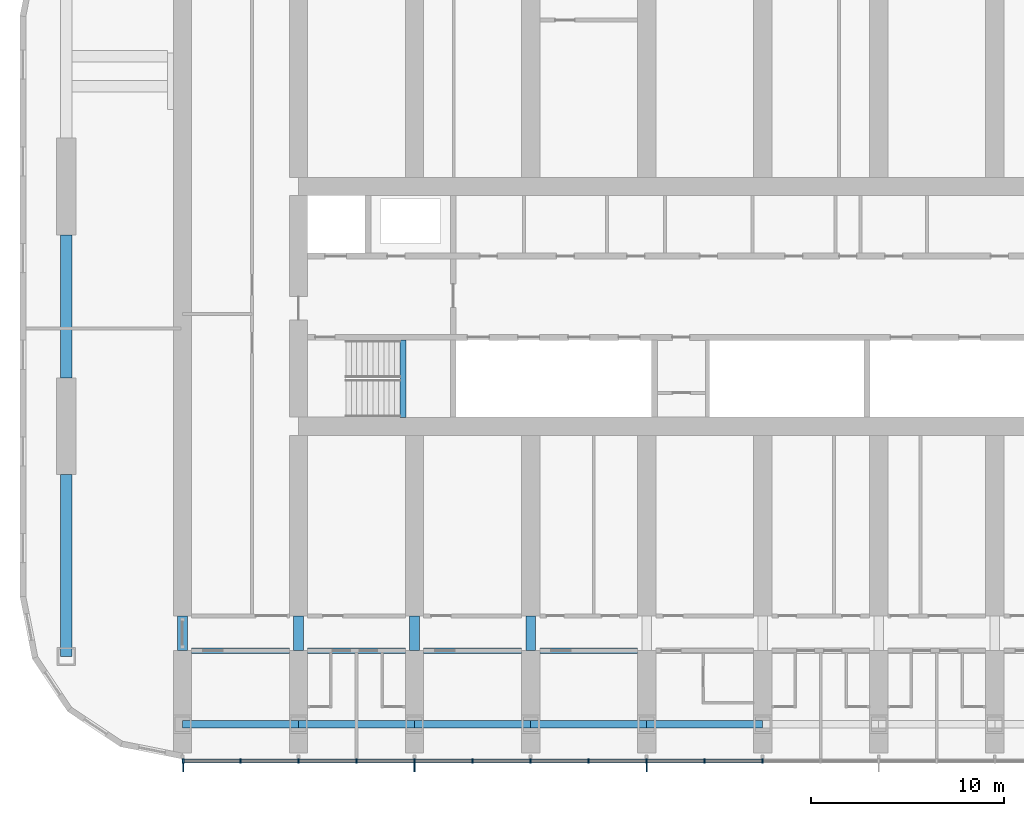
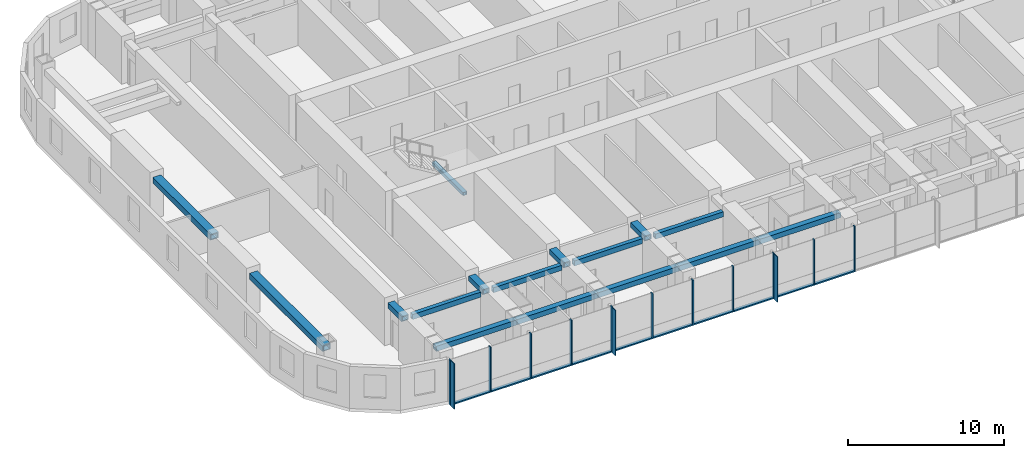
# One storey, part 2 of 21: 24 members, 16 beams, 1 element without a shape of its own.
"""IFC4 building model written with IfcOpenShell, lengths in metres."""

from ifc_helpers import new_model, si_unit, direction, frame, origin, origin_2d, place, context, subcontext, project, spatial, rectangle, hollow_rectangle, extrude, material, material_profile, profile_set, type_object, element, aggregate, save


model = new_model("IFC4")

# Units and contexts
model_context = context("Model", 3, precision=1e-05, world=origin(), true_north=direction((0.0, 1.0)))
body_context = subcontext(model_context, "Body", "Model", "MODEL_VIEW")
ifc_project = project(units=[si_unit("LENGTHUNIT", "METRE"), si_unit("AREAUNIT", "SQUARE_METRE"), si_unit("VOLUMEUNIT", "CUBIC_METRE"), si_unit("PLANEANGLEUNIT", "RADIAN"), si_unit("MASSUNIT", "GRAM", prefix="KILO")], contexts=[model_context])

# Site, building, storey
site_placement = place(None, origin())
site = spatial("IfcSite", under=ifc_project, at=site_placement, CompositionType="ELEMENT")
building_placement = place(site_placement, origin())
building = spatial("IfcBuilding", under=site, at=building_placement, Name="Orbita Commons", CompositionType="ELEMENT")
storey_placement = place(building_placement, frame((0.0, 0.0, 110.64990234375)))
storey = spatial("IfcBuildingStorey", under=building, at=storey_placement, Name="L27", CompositionType="ELEMENT", Elevation=110.64990234375)

# Curtain wall, members
ifc_material_1 = material(Name="Anodised aluminium frame, pale silver", Category="aluminium")
curtain_wall_type = type_object("IfcCurtainWallType", Name="Unitised curtain wall CW-T, vision and spandrel", PredefinedType="NOTDEFINED", material=ifc_material_1)
curtain_wall_placement = place(storey_placement, origin())
curtain_wall = element("IfcCurtainWall", 1, at=curtain_wall_placement, inside=storey, type_object=curtain_wall_type, Name="Curtain wall south L27", PredefinedType="NOTDEFINED")
ifc_material_2 = material(Name="Anodised aluminium, pale silver", Category="aluminium")
ifc_material_profile_1 = material_profile(ifc_material_2, rectangle(XDim=0.080078125, YDim=0.219970703125, at=origin_2d()), Name="AL 80x220")
ifc_profile_set_1 = profile_set([ifc_material_profile_1], Name="Anodised aluminium, pale silver")
member_type_1 = type_object("IfcMemberType", Name="Curtain wall mullion 80x220", PredefinedType="MULLION", material=ifc_profile_set_1)
member_1_placement = place(storey_placement, frame((12.0400390625, 8.489990234375, -0.25), z_axis=(0.0, 0.0, 1.0), x_axis=(1.0, 0.0, 0.0)))
member_1 = element("IfcMember", 2, at=member_1_placement, type_object=member_type_1, Name="Mullion 1 CW-L27-S", PredefinedType="MULLION", context=body_context, shape_type="SweptSolid", body=[
    extrude(rectangle(XDim=0.080078125, YDim=0.219970703125, at=origin_2d()), origin(), (0.0, 0.0, 1.0), 3.550048828125),
])
member_2_placement = place(storey_placement, frame((15.0, 8.489990234375, -0.25), z_axis=(0.0, 0.0, 1.0), x_axis=(1.0, 0.0, 0.0)))
member_2 = element("IfcMember", 3, at=member_2_placement, type_object=member_type_1, Name="Mullion 2 CW-L27-S", PredefinedType="MULLION", context=body_context, shape_type="SweptSolid", body=[
    extrude(rectangle(XDim=0.080078125, YDim=0.219970703125, at=origin_2d()), origin(), (0.0, 0.0, 1.0), 3.550048828125),
])
member_3_placement = place(storey_placement, frame((18.0, 8.489990234375, -0.25), z_axis=(0.0, 0.0, 1.0), x_axis=(1.0, 0.0, 0.0)))
member_3 = element("IfcMember", 4, at=member_3_placement, type_object=member_type_1, Name="Mullion 3 CW-L27-S", PredefinedType="MULLION", context=body_context, shape_type="SweptSolid", body=[
    extrude(rectangle(XDim=0.080078125, YDim=0.219970703125, at=origin_2d()), origin(), (0.0, 0.0, 1.0), 3.550048828125),
])
member_4_placement = place(storey_placement, frame((21.0, 8.489990234375, -0.25), z_axis=(0.0, 0.0, 1.0), x_axis=(1.0, 0.0, 0.0)))
member_4 = element("IfcMember", 5, at=member_4_placement, type_object=member_type_1, Name="Mullion 4 CW-L27-S", PredefinedType="MULLION", context=body_context, shape_type="SweptSolid", body=[
    extrude(rectangle(XDim=0.080078125, YDim=0.219970703125, at=origin_2d()), origin(), (0.0, 0.0, 1.0), 3.550048828125),
])
member_5_placement = place(storey_placement, frame((24.0, 8.489990234375, -0.25), z_axis=(0.0, 0.0, 1.0), x_axis=(1.0, 0.0, 0.0)))
member_5 = element("IfcMember", 6, at=member_5_placement, type_object=member_type_1, Name="Mullion 5 CW-L27-S", PredefinedType="MULLION", context=body_context, shape_type="SweptSolid", body=[
    extrude(rectangle(XDim=0.080078125, YDim=0.219970703125, at=origin_2d()), origin(), (0.0, 0.0, 1.0), 3.550048828125),
])
member_6_placement = place(storey_placement, frame((27.0, 8.489990234375, -0.25), z_axis=(0.0, 0.0, 1.0), x_axis=(1.0, 0.0, 0.0)))
member_6 = element("IfcMember", 7, at=member_6_placement, type_object=member_type_1, Name="Mullion 6 CW-L27-S", PredefinedType="MULLION", context=body_context, shape_type="SweptSolid", body=[
    extrude(rectangle(XDim=0.080078125, YDim=0.219970703125, at=origin_2d()), origin(), (0.0, 0.0, 1.0), 3.550048828125),
])
member_7_placement = place(storey_placement, frame((30.0, 8.489990234375, -0.25), z_axis=(0.0, 0.0, 1.0), x_axis=(1.0, 0.0, 0.0)))
member_7 = element("IfcMember", 8, at=member_7_placement, type_object=member_type_1, Name="Mullion 7 CW-L27-S", PredefinedType="MULLION", context=body_context, shape_type="SweptSolid", body=[
    extrude(rectangle(XDim=0.080078125, YDim=0.219970703125, at=origin_2d()), origin(), (0.0, 0.0, 1.0), 3.550048828125),
])
member_8_placement = place(storey_placement, frame((33.0, 8.489990234375, -0.25), z_axis=(0.0, 0.0, 1.0), x_axis=(1.0, 0.0, 0.0)))
member_8 = element("IfcMember", 9, at=member_8_placement, type_object=member_type_1, Name="Mullion 8 CW-L27-S", PredefinedType="MULLION", context=body_context, shape_type="SweptSolid", body=[
    extrude(rectangle(XDim=0.080078125, YDim=0.219970703125, at=origin_2d()), origin(), (0.0, 0.0, 1.0), 3.550048828125),
])
member_9_placement = place(storey_placement, frame((36.0, 8.489990234375, -0.25), z_axis=(0.0, 0.0, 1.0), x_axis=(1.0, 0.0, 0.0)))
member_9 = element("IfcMember", 10, at=member_9_placement, type_object=member_type_1, Name="Mullion 9 CW-L27-S", PredefinedType="MULLION", context=body_context, shape_type="SweptSolid", body=[
    extrude(rectangle(XDim=0.080078125, YDim=0.219970703125, at=origin_2d()), origin(), (0.0, 0.0, 1.0), 3.550048828125),
])
member_10_placement = place(storey_placement, frame((39.0, 8.489990234375, -0.25), z_axis=(0.0, 0.0, 1.0), x_axis=(1.0, 0.0, 0.0)))
member_10 = element("IfcMember", 11, at=member_10_placement, type_object=member_type_1, Name="Mullion 10 CW-L27-S", PredefinedType="MULLION", context=body_context, shape_type="SweptSolid", body=[
    extrude(rectangle(XDim=0.080078125, YDim=0.219970703125, at=origin_2d()), origin(), (0.0, 0.0, 1.0), 3.550048828125),
])
member_11_placement = place(storey_placement, frame((42.0, 8.489990234375, -0.25), z_axis=(0.0, 0.0, 1.0), x_axis=(1.0, 0.0, 0.0)))
member_11 = element("IfcMember", 12, at=member_11_placement, type_object=member_type_1, Name="Mullion 11 CW-L27-S", PredefinedType="MULLION", context=body_context, shape_type="SweptSolid", body=[
    extrude(rectangle(XDim=0.080078125, YDim=0.219970703125, at=origin_2d()), origin(), (0.0, 0.0, 1.0), 3.550048828125),
])
ifc_material_3 = material(Name="Anodised aluminium, pale silver", Category="aluminium")
ifc_material_profile_2 = material_profile(ifc_material_3, rectangle(XDim=0.219970703125, YDim=0.10009765625, at=origin_2d()), Name="AL 220x100")
ifc_profile_set_2 = profile_set([ifc_material_profile_2], Name="Anodised aluminium, pale silver")
member_type_2 = type_object("IfcMemberType", Name="Curtain wall stack transom 220x100", PredefinedType="USERDEFINED", material=ifc_profile_set_2)
member_12_placement = place(storey_placement, frame((12.080078125, 8.489990234375, -0.199951171875), z_axis=(1.0, 0.0, 0.0), x_axis=(0.0, 1.0, 0.0)))
member_12 = element("IfcMember", 13, at=member_12_placement, type_object=member_type_2, Name="Transom 1.1 CW-L27-S", ObjectType="TRANSOM", PredefinedType="USERDEFINED", context=body_context, shape_type="SweptSolid", body=[
    extrude(rectangle(XDim=0.219970703125, YDim=0.10009765625, at=origin_2d()), origin(), (0.0, 0.0, 1.0), 2.8798828125),
])
member_13_placement = place(storey_placement, frame((15.0400390625, 8.489990234375, -0.199951171875), z_axis=(1.0, 0.0, 0.0), x_axis=(0.0, 1.0, 0.0)))
member_13 = element("IfcMember", 14, at=member_13_placement, type_object=member_type_2, Name="Transom 2.1 CW-L27-S", ObjectType="TRANSOM", PredefinedType="USERDEFINED", context=body_context, shape_type="SweptSolid", body=[
    extrude(rectangle(XDim=0.219970703125, YDim=0.10009765625, at=origin_2d()), origin(), (0.0, 0.0, 1.0), 2.919921875),
])
member_14_placement = place(storey_placement, frame((18.0400390625, 8.489990234375, -0.199951171875), z_axis=(1.0, 0.0, 0.0), x_axis=(0.0, 1.0, 0.0)))
member_14 = element("IfcMember", 15, at=member_14_placement, type_object=member_type_2, Name="Transom 3.1 CW-L27-S", ObjectType="TRANSOM", PredefinedType="USERDEFINED", context=body_context, shape_type="SweptSolid", body=[
    extrude(rectangle(XDim=0.219970703125, YDim=0.10009765625, at=origin_2d()), origin(), (0.0, 0.0, 1.0), 2.919921875),
])
member_15_placement = place(storey_placement, frame((21.0400390625, 8.489990234375, -0.199951171875), z_axis=(1.0, 0.0, 0.0), x_axis=(0.0, 1.0, 0.0)))
member_15 = element("IfcMember", 16, at=member_15_placement, type_object=member_type_2, Name="Transom 4.1 CW-L27-S", ObjectType="TRANSOM", PredefinedType="USERDEFINED", context=body_context, shape_type="SweptSolid", body=[
    extrude(rectangle(XDim=0.219970703125, YDim=0.10009765625, at=origin_2d()), origin(), (0.0, 0.0, 1.0), 2.919921875),
])
member_16_placement = place(storey_placement, frame((24.0400390625, 8.489990234375, -0.199951171875), z_axis=(1.0, 0.0, 0.0), x_axis=(0.0, 1.0, 0.0)))
member_16 = element("IfcMember", 17, at=member_16_placement, type_object=member_type_2, Name="Transom 5.1 CW-L27-S", ObjectType="TRANSOM", PredefinedType="USERDEFINED", context=body_context, shape_type="SweptSolid", body=[
    extrude(rectangle(XDim=0.219970703125, YDim=0.10009765625, at=origin_2d()), origin(), (0.0, 0.0, 1.0), 2.919921875),
])
member_17_placement = place(storey_placement, frame((27.0400390625, 8.489990234375, -0.199951171875), z_axis=(1.0, 0.0, 0.0), x_axis=(0.0, 1.0, 0.0)))
member_17 = element("IfcMember", 18, at=member_17_placement, type_object=member_type_2, Name="Transom 6.1 CW-L27-S", ObjectType="TRANSOM", PredefinedType="USERDEFINED", context=body_context, shape_type="SweptSolid", body=[
    extrude(rectangle(XDim=0.219970703125, YDim=0.10009765625, at=origin_2d()), origin(), (0.0, 0.0, 1.0), 2.919921875),
])
member_18_placement = place(storey_placement, frame((30.0400390625, 8.489990234375, -0.199951171875), z_axis=(1.0, 0.0, 0.0), x_axis=(0.0, 1.0, 0.0)))
member_18 = element("IfcMember", 19, at=member_18_placement, type_object=member_type_2, Name="Transom 7.1 CW-L27-S", ObjectType="TRANSOM", PredefinedType="USERDEFINED", context=body_context, shape_type="SweptSolid", body=[
    extrude(rectangle(XDim=0.219970703125, YDim=0.10009765625, at=origin_2d()), origin(), (0.0, 0.0, 1.0), 2.919921875),
])
member_19_placement = place(storey_placement, frame((33.0400390625, 8.489990234375, -0.199951171875), z_axis=(1.0, 0.0, 0.0), x_axis=(0.0, 1.0, 0.0)))
member_19 = element("IfcMember", 20, at=member_19_placement, type_object=member_type_2, Name="Transom 8.1 CW-L27-S", ObjectType="TRANSOM", PredefinedType="USERDEFINED", context=body_context, shape_type="SweptSolid", body=[
    extrude(rectangle(XDim=0.219970703125, YDim=0.10009765625, at=origin_2d()), origin(), (0.0, 0.0, 1.0), 2.919921875),
])
member_20_placement = place(storey_placement, frame((36.0400390625, 8.489990234375, -0.199951171875), z_axis=(1.0, 0.0, 0.0), x_axis=(0.0, 1.0, 0.0)))
member_20 = element("IfcMember", 21, at=member_20_placement, type_object=member_type_2, Name="Transom 9.1 CW-L27-S", ObjectType="TRANSOM", PredefinedType="USERDEFINED", context=body_context, shape_type="SweptSolid", body=[
    extrude(rectangle(XDim=0.219970703125, YDim=0.10009765625, at=origin_2d()), origin(), (0.0, 0.0, 1.0), 2.919921875),
])
member_21_placement = place(storey_placement, frame((39.0400390625, 8.489990234375, -0.199951171875), z_axis=(1.0, 0.0, 0.0), x_axis=(0.0, 1.0, 0.0)))
member_21 = element("IfcMember", 22, at=member_21_placement, type_object=member_type_2, Name="Transom 10.1 CW-L27-S", ObjectType="TRANSOM", PredefinedType="USERDEFINED", context=body_context, shape_type="SweptSolid", body=[
    extrude(rectangle(XDim=0.219970703125, YDim=0.10009765625, at=origin_2d()), origin(), (0.0, 0.0, 1.0), 2.919921875),
])

# Beams
ifc_material_4 = material(Name="Steel ASTM A572 Gr 50 welded plate", Category="steel")
ifc_material_profile_3 = material_profile(ifc_material_4, hollow_rectangle(XDim=0.300048828125, YDim=0.25, WallThickness=0.02490234375, at=origin_2d()), Name="BOX 250x300x25")
ifc_profile_set_3 = profile_set([ifc_material_profile_3], Name="Steel ASTM A572 Gr 50 welded plate")
beam_type_1 = type_object("IfcBeamType", Name="Stair landing beam steel BOX 250x300x25", PredefinedType="BEAM", material=ifc_profile_set_3)
beam_1_placement = place(storey_placement, frame((23.39990234375, 26.260009765625, 1.550048828125), z_axis=(0.0, 1.0, 0.0), x_axis=(-1.0, 0.0, 0.0)))
element("IfcBeam", 23, at=beam_1_placement, inside=storey, type_object=beam_type_1, Name="Stair S1 landing beam L27 1", PredefinedType="BEAM", context=body_context, shape_type="SweptSolid", body=[
    extrude(hollow_rectangle(XDim=0.300048828125, YDim=0.25, WallThickness=0.02490234375, at=origin_2d()), origin(), (0.0, 0.0, 1.0), 4.0048828125),
])
ifc_material_5 = material(Name="Steel ASTM A572 Gr 50 welded plate", Category="steel")
ifc_material_profile_4 = material_profile(ifc_material_5, hollow_rectangle(XDim=0.300048828125, YDim=0.39990234375, WallThickness=0.0400390625, at=origin_2d()), Name="BOX 400x300x40")
ifc_profile_set_4 = profile_set([ifc_material_profile_4], Name="Steel ASTM A572 Gr 50 welded plate")
beam_type_2 = type_object("IfcBeamType", Name="Steel corridor link BOX 400x300x40", PredefinedType="BEAM", material=ifc_profile_set_4)
for number, where, z_axis, x_axis, name in (
    (24, (12.47509765625, 14.199951171875, 3.10009765625), (1.0, 0.0, 0.0), (0.0, 1.0, 0.0), "Corridor beam SA 3-4 L27"),
    (25, (18.47509765625, 14.199951171875, 3.10009765625), (1.0, 0.0, 0.0), (0.0, 1.0, 0.0), "Corridor beam SA 4-5 L27"),
    (26, (24.47509765625, 14.199951171875, 3.10009765625), (1.0, 0.0, 0.0), (0.0, 1.0, 0.0), "Corridor beam SA 5-6 L27"),
    (27, (30.47509765625, 14.199951171875, 3.10009765625), (1.0, 0.0, 0.0), (0.0, 1.0, 0.0), "Corridor beam SA 6-7 L27"),
):
    element("IfcBeam", number, at=place(storey_placement, frame(where, z_axis=z_axis, x_axis=x_axis)), inside=storey, type_object=beam_type_2, Name=name, PredefinedType="BEAM", context=body_context, shape_type="SweptSolid", body=[
        extrude(hollow_rectangle(XDim=0.300048828125, YDim=0.39990234375, WallThickness=0.0400390625, at=origin_2d()), origin(), (0.0, 0.0, 1.0), 5.0498046875),
    ])
ifc_material_6 = material(Name="Steel ASTM A572 Gr 50 welded plate", Category="steel")
ifc_material_profile_5 = material_profile(ifc_material_6, hollow_rectangle(XDim=0.5, YDim=0.39990234375, WallThickness=0.050048828125, at=origin_2d()), Name="BOX 400x500x50")
ifc_profile_set_5 = profile_set([ifc_material_profile_5], Name="Steel ASTM A572 Gr 50 welded plate")
beam_type_3 = type_object("IfcBeamType", Name="Steel coupling link BOX 400x500x50", PredefinedType="LINTEL", material=ifc_profile_set_5)
for number, where, z_axis, x_axis, name in (
    (28, (12.0, 14.199951171875, 3.10009765625), (0.0, 1.0, 0.0), (-1.0, 0.0, 0.0), "Coupling beam 3 south L27"),
    (29, (18.0, 14.199951171875, 3.10009765625), (0.0, 1.0, 0.0), (-1.0, 0.0, 0.0), "Coupling beam 4 south L27"),
    (30, (24.0, 14.199951171875, 3.10009765625), (0.0, 1.0, 0.0), (-1.0, 0.0, 0.0), "Coupling beam 5 south L27"),
    (31, (30.0, 14.199951171875, 3.10009765625), (0.0, 1.0, 0.0), (-1.0, 0.0, 0.0), "Coupling beam 6 south L27"),
):
    element("IfcBeam", number, at=place(storey_placement, frame(where, z_axis=z_axis, x_axis=x_axis)), inside=storey, type_object=beam_type_3, Name=name, PredefinedType="LINTEL", context=body_context, shape_type="SweptSolid", body=[
        extrude(hollow_rectangle(XDim=0.5, YDim=0.39990234375, WallThickness=0.050048828125, at=origin_2d()), origin(), (0.0, 0.0, 1.0), 1.800048828125),
    ])
ifc_material_7 = material(Name="Steel ASTM A572 Gr 50 welded plate", Category="steel")
ifc_material_profile_6 = material_profile(ifc_material_7, hollow_rectangle(XDim=0.60009765625, YDim=0.449951171875, WallThickness=0.06005859375, at=origin_2d()), Name="BOX 450x600x60")
ifc_profile_set_6 = profile_set([ifc_material_profile_6], Name="Steel ASTM A572 Gr 50 welded plate")
beam_type_4 = type_object("IfcBeamType", Name="Steel end frame link BOX 450x600x60", PredefinedType="BEAM", material=ifc_profile_set_6)
beam_2_placement = place(storey_placement, frame((6.0, 13.89990234375, 3.0751953125), z_axis=(0.0, 1.0, 0.0), x_axis=(-1.0, 0.0, 0.0)))
element("IfcBeam", 32, at=beam_2_placement, inside=storey, type_object=beam_type_4, Name="End frame beam 2 B-C L27", PredefinedType="BEAM", context=body_context, shape_type="SweptSolid", body=[
    extrude(hollow_rectangle(XDim=0.60009765625, YDim=0.449951171875, WallThickness=0.06005859375, at=origin_2d()), origin(), (0.0, 0.0, 1.0), 9.400146484375),
])
beam_3_placement = place(storey_placement, frame((6.0, 28.300048828125, 3.0751953125), z_axis=(0.0, 1.0, 0.0), x_axis=(-1.0, 0.0, 0.0)))
element("IfcBeam", 33, at=beam_3_placement, inside=storey, type_object=beam_type_4, Name="End frame beam 2 C-D L27", PredefinedType="BEAM", context=body_context, shape_type="SweptSolid", body=[
    extrude(hollow_rectangle(XDim=0.60009765625, YDim=0.449951171875, WallThickness=0.06005859375, at=origin_2d()), origin(), (0.0, 0.0, 1.0), 7.39990234375),
])
ifc_material_8 = material(Name="Steel ASTM A572 Gr 50 welded plate", Category="steel")
ifc_material_profile_7 = material_profile(ifc_material_8, hollow_rectangle(XDim=0.39990234375, YDim=0.39990234375, WallThickness=0.0400390625, at=origin_2d()), Name="BOX 400x400x40")
ifc_profile_set_7 = profile_set([ifc_material_profile_7], Name="Steel ASTM A572 Gr 50 welded plate")
beam_type_5 = type_object("IfcBeamType", Name="Steel spandrel BOX 400x400x40", PredefinedType="SPANDREL", material=ifc_profile_set_7)
for number, where, z_axis, x_axis, name in (
    (34, (12.0, 10.39990234375, 3.10009765625), (1.0, 0.0, 0.0), (0.0, 1.0, 0.0), "Spandrel beam B 3-4 L27"),
    (35, (18.0, 10.39990234375, 3.10009765625), (1.0, 0.0, 0.0), (0.0, 1.0, 0.0), "Spandrel beam B 4-5 L27"),
    (36, (24.0, 10.39990234375, 3.10009765625), (1.0, 0.0, 0.0), (0.0, 1.0, 0.0), "Spandrel beam B 5-6 L27"),
    (37, (30.0, 10.39990234375, 3.10009765625), (1.0, 0.0, 0.0), (0.0, 1.0, 0.0), "Spandrel beam B 6-7 L27"),
    (38, (36.0, 10.39990234375, 3.10009765625), (1.0, 0.0, 0.0), (0.0, 1.0, 0.0), "Spandrel beam B 7-8 L27"),
):
    element("IfcBeam", number, at=place(storey_placement, frame(where, z_axis=z_axis, x_axis=x_axis)), inside=storey, type_object=beam_type_5, Name=name, PredefinedType="SPANDREL", context=body_context, shape_type="SweptSolid", body=[
        extrude(hollow_rectangle(XDim=0.39990234375, YDim=0.39990234375, WallThickness=0.0400390625, at=origin_2d()), origin(), (0.0, 0.0, 1.0), 6.0),
    ])

# Member
ifc_material_9 = material(Name="Anodised aluminium, pale silver", Category="aluminium")
ifc_material_profile_8 = material_profile(ifc_material_9, rectangle(XDim=0.06005859375, YDim=0.449951171875, at=origin_2d()), Name="FIN 60x450")
ifc_profile_set_8 = profile_set([ifc_material_profile_8], Name="Anodised aluminium, pale silver")
member_type_3 = type_object("IfcMemberType", Name="Vertical fin 60x450 pale aluminium", PredefinedType="USERDEFINED", material=ifc_profile_set_8)
member_22_placement = place(storey_placement, frame((12.0400390625, 8.155029296875, -0.25), z_axis=(0.0, 0.0, 1.0), x_axis=(1.0, 0.0, 0.0)))
member_22 = element("IfcMember", 39, at=member_22_placement, type_object=member_type_3, Name="Fin 1 CW-L27-S", ObjectType="FIN", PredefinedType="USERDEFINED", context=body_context, shape_type="SweptSolid", body=[
    extrude(rectangle(XDim=0.06005859375, YDim=0.449951171875, at=origin_2d()), origin(), (0.0, 0.0, 1.0), 3.550048828125),
])

member_23_placement = place(storey_placement, frame((24.0, 8.155029296875, -0.25), z_axis=(0.0, 0.0, 1.0), x_axis=(1.0, 0.0, 0.0)))
member_23 = element("IfcMember", 40, at=member_23_placement, type_object=member_type_3, Name="Fin 5 CW-L27-S", ObjectType="FIN", PredefinedType="USERDEFINED", context=body_context, shape_type="SweptSolid", body=[
    extrude(rectangle(XDim=0.06005859375, YDim=0.449951171875, at=origin_2d()), origin(), (0.0, 0.0, 1.0), 3.550048828125),
])

member_24_placement = place(storey_placement, frame((36.0, 8.155029296875, -0.25), z_axis=(0.0, 0.0, 1.0), x_axis=(1.0, 0.0, 0.0)))
member_24 = element("IfcMember", 41, at=member_24_placement, type_object=member_type_3, Name="Fin 9 CW-L27-S", ObjectType="FIN", PredefinedType="USERDEFINED", context=body_context, shape_type="SweptSolid", body=[
    extrude(rectangle(XDim=0.06005859375, YDim=0.449951171875, at=origin_2d()), origin(), (0.0, 0.0, 1.0), 3.550048828125),
])

aggregate(curtain_wall, [member_1, member_22, member_2, member_3, member_4, member_5, member_23, member_6, member_7, member_8, member_9, member_24, member_10, member_11, member_12, member_13, member_14, member_15, member_16, member_17, member_18, member_19, member_20, member_21])

save(model, "model.ifc")
